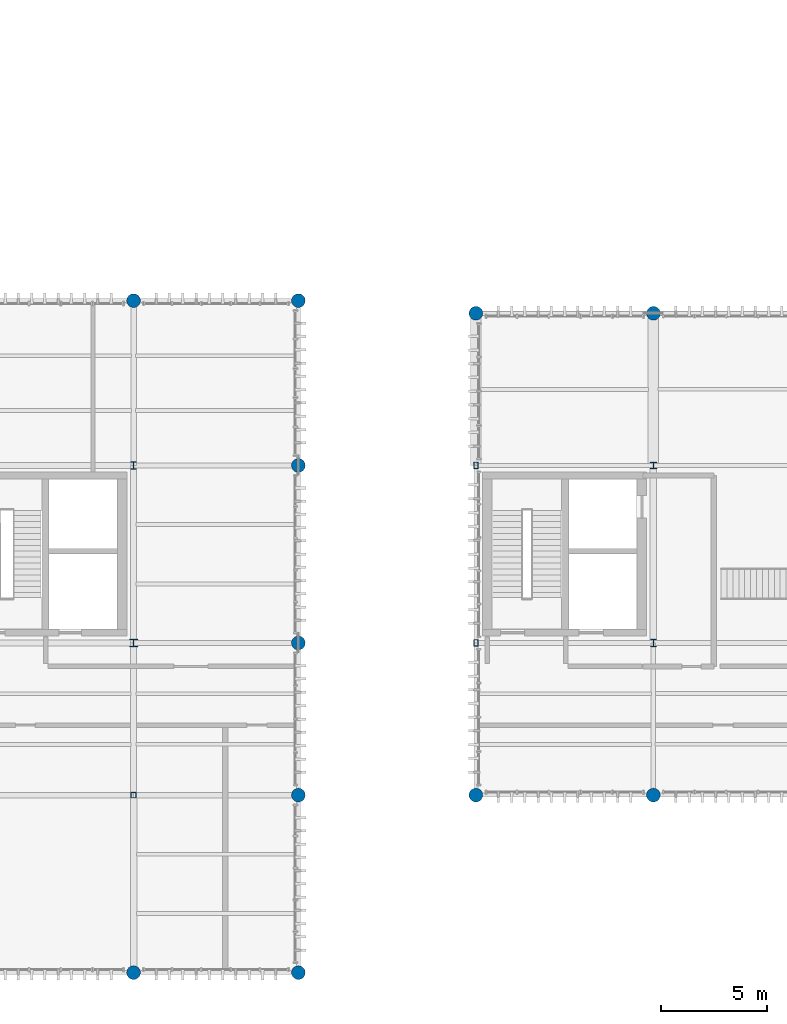
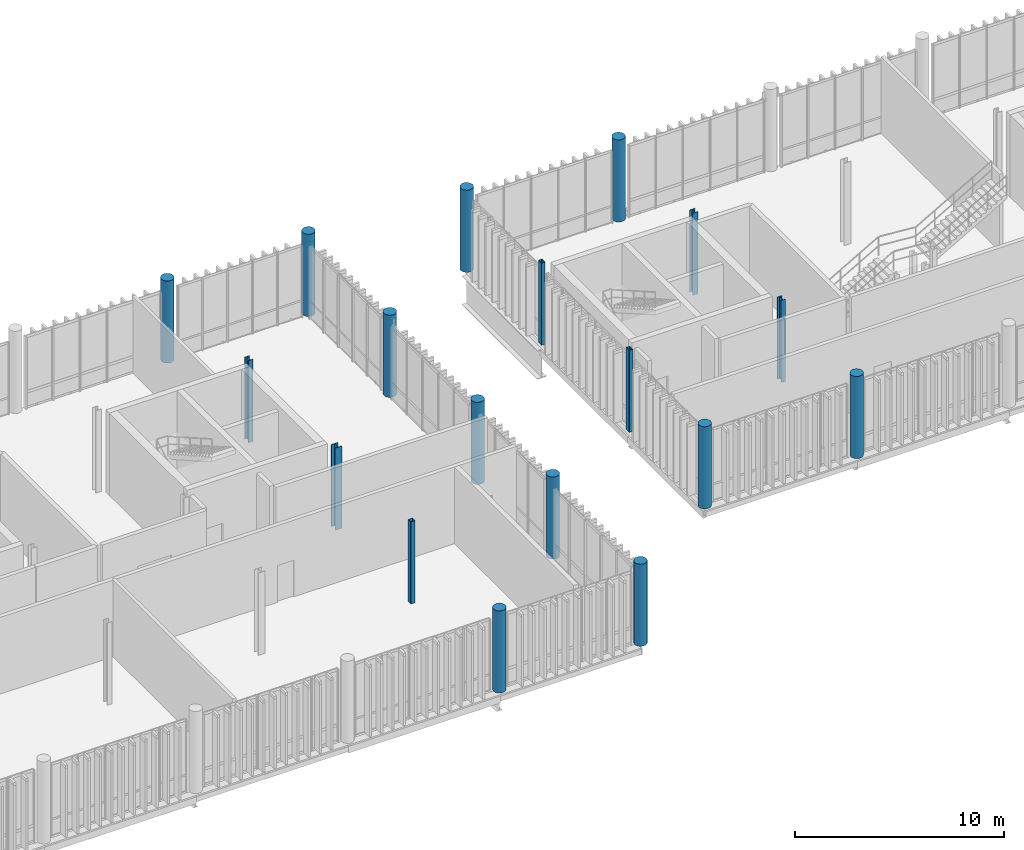
# One storey, part 2 of 86: 18 columns.
"""IFC4 building model written with IfcOpenShell, lengths in metres."""

import ifcopenshell
import ifcopenshell.guid

model = None  # the IFC model being written
_history = None  # IfcOwnerHistory: only IFC2X3 demands one
_inside = {}  # id of a spatial element -> (the spatial element, [elements in it])
_under = {}  # id of a project, library or spatial element -> (it, [spatial elements below it])
_declared = {}  # id of a project -> (the project, [libraries it declares])
_typed = {}  # id of a type object -> (the type object, [elements of that type])
_made_of = {}  # id of a material, layer set ... -> (it, [elements and type objects made of it])


def new_model(schema):
    """Start an empty IFC model of exactly this schema.

    Asked for "IFC4X3", IfcOpenShell would pick the latest addendum, in which some entities
    have other attributes; the version numbers below select the first issue.
    IFC2X3 requires an IfcOwnerHistory on every rooted entity: one is made here for all.
    """
    global model, _history
    if schema == "IFC4X3":
        model = ifcopenshell.file(schema_version=(4, 3, 0, 0))
    else:
        model = ifcopenshell.file(schema=schema)
    _inside.clear()
    _under.clear()
    _declared.clear()
    _typed.clear()
    _made_of.clear()
    _history = None
    if model.schema == "IFC2X3":
        org = make("IfcOrganization", Name="unknown")
        user = make(
            "IfcPersonAndOrganization",
            ThePerson=make("IfcPerson", FamilyName="unknown"),
            TheOrganization=org,
        )
        app = make(
            "IfcApplication",
            ApplicationDeveloper=org,
            Version="unknown",
            ApplicationFullName="unknown",
            ApplicationIdentifier="unknown",
        )
        _history = make(
            "IfcOwnerHistory",
            OwningUser=user,
            OwningApplication=app,
            ChangeAction="ADDED",
            CreationDate=0,
        )
    return model


def make(cls, **values):
    """One entity of the class cls with the attributes given. An attribute that is None is left unset."""
    return model.create_entity(
        cls, **{name: value for name, value in values.items() if value is not None}
    )


def rooted(cls, **values):
    """An entity with a GlobalId (a new one), such as an element, a storey or a relation."""
    return make(cls, GlobalId=ifcopenshell.guid.new(), OwnerHistory=_history, **values)


def si_unit(unit_type, name, prefix=None):
    """IfcSIUnit, for example si_unit("LENGTHUNIT", "METRE", prefix="MILLI")."""
    return make("IfcSIUnit", UnitType=unit_type, Prefix=prefix, Name=name)


def assignment(units):
    """IfcUnitAssignment: the units of a project."""
    return None if units is None else make("IfcUnitAssignment", Units=units)


def point(xyz):
    """IfcCartesianPoint."""
    return None if xyz is None else make("IfcCartesianPoint", Coordinates=xyz)


def direction(xyz):
    """IfcDirection."""
    return None if xyz is None else make("IfcDirection", DirectionRatios=xyz)


def frame(location, z_axis=None, x_axis=None):
    """IfcAxis2Placement3D, a coordinate frame: its origin and axes. An axis left out is left unset."""
    return make(
        "IfcAxis2Placement3D",
        Location=point(location),
        Axis=direction(z_axis),
        RefDirection=direction(x_axis),
    )


def frame_2d(location, x_axis=None):
    """IfcAxis2Placement2D, a coordinate frame in the plane: its origin and x axis."""
    return make(
        "IfcAxis2Placement2D", Location=point(location), RefDirection=direction(x_axis)
    )


def origin_with_axes():
    """The frame at (0, 0, 0) with the z axis (0, 0, 1) and the x axis (1, 0, 0) written out."""
    return frame((0.0, 0.0, 0.0), z_axis=(0.0, 0.0, 1.0), x_axis=(1.0, 0.0, 0.0))


def origin_2d_with_axis():
    """The frame at (0, 0) in the plane with the x axis (1, 0) written out."""
    return frame_2d((0.0, 0.0), x_axis=(1.0, 0.0))


def place(relative_to, where):
    """IfcLocalPlacement: puts the frame where relative to a parent placement (None: the world)."""
    return make(
        "IfcLocalPlacement", PlacementRelTo=relative_to, RelativePlacement=where
    )


def context(
    kind, dimensions, precision=None, world=None, true_north=None, identifier=None
):
    """IfcGeometricRepresentationContext, for example the 3D "Model" context."""
    return make(
        "IfcGeometricRepresentationContext",
        ContextIdentifier=identifier,
        ContextType=kind,
        CoordinateSpaceDimension=dimensions,
        Precision=precision,
        WorldCoordinateSystem=world,
        TrueNorth=true_north,
    )


def subcontext(parent, identifier, kind, view, scale=None):
    """IfcGeometricRepresentationSubContext, for example "Body" below "Model"."""
    return make(
        "IfcGeometricRepresentationSubContext",
        ContextIdentifier=identifier,
        ContextType=kind,
        ParentContext=parent,
        TargetScale=scale,
        TargetView=view,
    )


def project(units=None, contexts=None):
    """IfcProject with its units and contexts."""
    return rooted(
        "IfcProject",
        Name="project",
        RepresentationContexts=contexts,
        UnitsInContext=assignment(units),
    )


def spatial(cls, under=None, at=None, **own):
    """A site, building, storey or space (cls), placed at a placement, below another one or the project."""
    s = rooted(cls, ObjectPlacement=at, **own)
    if under is not None:
        _under.setdefault(under.id(), (under, []))[1].append(s)
    return s


def profile(cls, at=None, kind="AREA", **sizes):
    """A parametric profile (cls). Its sizes go by their IFC names, for example OverallWidth=200.0."""
    return make(cls, ProfileType=kind, Position=at, **sizes)


def hollow_rectangle(**sizes):
    """IfcRectangleHollowProfileDef."""
    return profile("IfcRectangleHollowProfileDef", **sizes)


def circle(**sizes):
    """IfcCircleProfileDef."""
    return profile("IfcCircleProfileDef", **sizes)


def i_section(**sizes):
    """IfcIShapeProfileDef."""
    return profile("IfcIShapeProfileDef", **sizes)


def extrude(swept, where, along, depth):
    """IfcExtrudedAreaSolid: the profile swept, set in the frame where, extruded along a direction by depth."""
    return make(
        "IfcExtrudedAreaSolid",
        SweptArea=swept,
        Position=where,
        ExtrudedDirection=direction(along),
        Depth=depth,
    )


def shape(context_of_items, identifier, shape_type, items):
    """IfcShapeRepresentation: the items that make up one representation, for example the "Body"."""
    return make(
        "IfcShapeRepresentation",
        ContextOfItems=context_of_items,
        RepresentationIdentifier=identifier,
        RepresentationType=shape_type,
        Items=items,
    )


def material(Name=None, Category=None):
    """IfcMaterial."""
    return make("IfcMaterial", Name=Name, Category=Category)


def material_profile(
    of_material, cross_section, Name=None, Category=None, Priority=None
):
    """IfcMaterialProfile: a cross section and its material."""
    return make(
        "IfcMaterialProfile",
        Name=Name,
        Material=of_material,
        Profile=cross_section,
        Priority=Priority,
        Category=Category,
    )


def profile_set(profiles, Name=None, composite=None):
    """IfcMaterialProfileSet."""
    return make(
        "IfcMaterialProfileSet",
        Name=Name,
        MaterialProfiles=profiles,
        CompositeProfile=composite,
    )


def made_of(thing, what):
    """Note that an element or type object is made of a material, layer set ...; save() writes the relation."""
    if what is not None:
        _made_of.setdefault(what.id(), (what, []))[1].append(thing)
    return thing


def type_object(cls, material=None, **own):
    """A type object (cls), such as IfcWallType, which elements share."""
    return made_of(rooted(cls, **own), material)


def element(
    cls,
    number,
    at=None,
    inside=None,
    cuts=None,
    type_object=None,
    material=None,
    context=None,
    identifier="Body",
    shape_type=None,
    held_by="IfcProductDefinitionShape",
    body=None,
    shapes=None,
    **own,
):
    """One element of the class cls, such as IfcWall. Its Tag is "e" and its number.

    at: its placement. inside: the storey or other place that contains it. cuts: it is an
    opening in that element (IfcRelVoidsElement). A single representation is given by context,
    identifier, shape_type and body (its items); several are given by shapes. held_by: the class
    of the entity that holds the representations. save() writes the other relations.
    """
    e = rooted(cls, Tag="e%d" % number, ObjectPlacement=at, **own)
    if body is not None:
        shapes = [shape(context, identifier, shape_type, body)]
    if shapes is not None:
        e.Representation = make(held_by, Representations=shapes)
    if inside is not None:
        _inside.setdefault(inside.id(), (inside, []))[1].append(e)
    if cuts is not None:
        rooted(
            "IfcRelVoidsElement", RelatingBuildingElement=cuts, RelatedOpeningElement=e
        )
    if type_object is not None:
        _typed.setdefault(type_object.id(), (type_object, []))[1].append(e)
    return made_of(e, material)


def aggregate(whole, parts):
    """IfcRelAggregates: a whole, such as a stair, and the parts it consists of."""
    return rooted("IfcRelAggregates", RelatingObject=whole, RelatedObjects=parts)


def save(model, path):
    """Write the relations noted so far, then the file.

    IfcRelAggregates (storeys below a building ...), IfcRelContainedInSpatialStructure (elements
    in a storey), IfcRelDefinesByType, IfcRelAssociatesMaterial and IfcRelDeclares: one each for
    every whole, place, type object, material and project.
    """
    for whole, parts in _under.values():
        aggregate(whole, parts)
    for where, things in _inside.values():
        rooted(
            "IfcRelContainedInSpatialStructure",
            RelatedElements=things,
            RelatingStructure=where,
        )
    for kind, things in _typed.values():
        rooted("IfcRelDefinesByType", RelatedObjects=things, RelatingType=kind)
    for what, things in _made_of.values():
        rooted("IfcRelAssociatesMaterial", RelatedObjects=things, RelatingMaterial=what)
    for by, libraries in _declared.values():
        rooted("IfcRelDeclares", RelatingContext=by, RelatedDefinitions=libraries)
    model.write(path)


model = new_model("IFC4")

# Units and contexts
model_context = context("Model", 3, precision=1e-05, world=origin_with_axes(), true_north=direction((0.0, 1.0)))
body_context = subcontext(model_context, "Body", "Model", "MODEL_VIEW")
ifc_project = project(units=[si_unit("LENGTHUNIT", "METRE"), si_unit("AREAUNIT", "SQUARE_METRE"), si_unit("VOLUMEUNIT", "CUBIC_METRE"), si_unit("PLANEANGLEUNIT", "RADIAN"), si_unit("MASSUNIT", "GRAM", prefix="KILO"), si_unit("THERMODYNAMICTEMPERATUREUNIT", "KELVIN")], contexts=[model_context])

# Site, building, storey
site_placement = place(None, origin_with_axes())
site = spatial("IfcSite", under=ifc_project, at=site_placement, CompositionType="ELEMENT")
building_placement = place(site_placement, origin_with_axes())
building = spatial("IfcBuilding", under=site, at=building_placement, Name="Montbau Bow Law Courts", CompositionType="ELEMENT")
storey_placement = place(building_placement, frame((0.0, 0.0, 29.7), z_axis=(0.0, 0.0, 1.0), x_axis=(1.0, 0.0, 0.0)))
storey = spatial("IfcBuildingStorey", under=building, at=storey_placement, Name="L06", CompositionType="ELEMENT", Elevation=29.7)

# Columns
ifc_material_1 = material(Name="Steel CSA G40.21 Grade 350W (350 MPa)", Category="steel")
ifc_material_profile_1 = material_profile(ifc_material_1, hollow_rectangle(XDim=0.254, YDim=0.254, WallThickness=0.0127, InnerFilletRadius=0.0254, OuterFilletRadius=0.0127, at=origin_2d_with_axis()), Name="HSS254X254X13", Category="Main", Priority=0)
ifc_profile_set_1 = profile_set([ifc_material_profile_1], Name="Steel CSA G40.21 Grade 350W (350 MPa)")
column_type_1 = type_object("IfcColumnType", Name="C-HSS-01", PredefinedType="COLUMN", material=ifc_profile_set_1)
column_1_placement = place(None, frame((39.0, 39.0, 29.7), z_axis=(0.0, 0.0, 1.0), x_axis=(1.0, 0.0, 0.0)))
element("IfcColumn", 1, at=column_1_placement, inside=storey, type_object=column_type_1, Name="C-L06-S0935:col2_0935", PredefinedType="COLUMN", context=body_context, shape_type="SweptSolid", body=[
    extrude(hollow_rectangle(XDim=0.254, YDim=0.254, WallThickness=0.0127, InnerFilletRadius=0.0254, OuterFilletRadius=0.0127, at=origin_2d_with_axis()), origin_with_axes(), (0.0, 0.0, 1.0), 4.8),
])
ifc_material_2 = material(Name="Steel CSA G40.21 Grade 350WT (350 MPa)", Category="steel")
ifc_material_profile_2 = material_profile(ifc_material_2, hollow_rectangle(XDim=0.203, YDim=0.305, WallThickness=0.0127, InnerFilletRadius=0.0254, OuterFilletRadius=0.0127, at=origin_2d_with_axis()), Name="HSS305X203X13", Category="Main", Priority=0)
ifc_profile_set_2 = profile_set([ifc_material_profile_2], Name="Steel CSA G40.21 Grade 350WT (350 MPa)")
column_type_2 = type_object("IfcColumnType", Name="C-HSS-03", PredefinedType="COLUMN", material=ifc_profile_set_2)
for number, where, z_axis, x_axis, name in (
    (2, (55.2, 46.2, 29.7), (0.0, 0.0, 1.0), (1.0, 0.0, 0.0), "C-L06-S0945:col2_0945"),
    (3, (55.2, 54.6, 29.7), (0.0, 0.0, 1.0), (1.0, 0.0, 0.0), "C-L06-S0946:col2_0946"),
):
    element("IfcColumn", number, at=place(None, frame(where, z_axis=z_axis, x_axis=x_axis)), inside=storey, type_object=column_type_2, Name=name, PredefinedType="COLUMN", context=body_context, shape_type="SweptSolid", body=[
        extrude(hollow_rectangle(XDim=0.203, YDim=0.305, WallThickness=0.0127, InnerFilletRadius=0.0254, OuterFilletRadius=0.0127, at=origin_2d_with_axis()), origin_with_axes(), (0.0, 0.0, 1.0), 4.8),
    ])
ifc_material_3 = material(Name="Concrete CSA A23.1 f'c 40 MPa", Category="concrete")
ifc_material_profile_3 = material_profile(ifc_material_3, circle(Radius=0.325, at=origin_2d_with_axis()), Name="RC650D", Category="Main", Priority=0)
ifc_profile_set_3 = profile_set([ifc_material_profile_3], Name="Concrete CSA A23.1 f'c 40 MPa")
column_type_3 = type_object("IfcColumnType", Name="C-RC-08", PredefinedType="COLUMN", material=ifc_profile_set_3)
for number, where, z_axis, x_axis, name in (
    (4, (39.0, 30.6, 29.7), (0.0, 0.0, 1.0), (1.0, 0.0, 0.0), "C-L06-S0934:col2_0934"),
    (5, (39.0, 62.4, 29.7), (0.0, 0.0, 1.0), (1.0, 0.0, 0.0), "C-L06-S0938:col2_0938"),
    (6, (46.8, 30.6, 29.7), (0.0, 0.0, 1.0), (1.0, 0.0, 0.0), "C-L06-S0939:col2_0939"),
    (7, (46.8, 39.0, 29.7), (0.0, 0.0, 1.0), (1.0, 0.0, 0.0), "C-L06-S0940:col2_0940"),
    (8, (46.8, 46.2, 29.7), (0.0, 0.0, 1.0), (1.0, 0.0, 0.0), "C-L06-S0941:col2_0941"),
    (9, (46.8, 54.6, 29.7), (0.0, 0.0, 1.0), (1.0, 0.0, 0.0), "C-L06-S0942:col2_0942"),
    (10, (46.8, 62.4, 29.7), (0.0, 0.0, 1.0), (1.0, 0.0, 0.0), "C-L06-S0943:col2_0943"),
    (11, (55.2, 39.0, 29.7), (0.0, 0.0, 1.0), (1.0, 0.0, 0.0), "C-L06-S0944:col2_0944"),
    (12, (55.2, 61.8, 29.7), (0.0, 0.0, 1.0), (1.0, 0.0, 0.0), "C-L06-S0947:col2_0947"),
    (13, (63.6, 39.0, 29.7), (0.0, 0.0, 1.0), (1.0, 0.0, 0.0), "C-L06-S0948:col2_0948"),
    (14, (63.6, 61.8, 29.7), (0.0, 0.0, 1.0), (1.0, 0.0, 0.0), "C-L06-S0951:col2_0951"),
):
    element("IfcColumn", number, at=place(None, frame(where, z_axis=z_axis, x_axis=x_axis)), inside=storey, type_object=column_type_3, Name=name, PredefinedType="COLUMN", context=body_context, shape_type="SweptSolid", body=[
        extrude(circle(Radius=0.325, at=origin_2d_with_axis()), origin_with_axes(), (0.0, 0.0, 1.0), 4.8),
    ])
ifc_material_profile_4 = material_profile(ifc_material_1, i_section(OverallWidth=0.373, OverallDepth=0.368, WebThickness=0.015, FlangeThickness=0.0239, at=origin_2d_with_axis()), Name="W360X179", Category="Main", Priority=0)
ifc_profile_set_4 = profile_set([ifc_material_profile_4], Name="Steel CSA G40.21 Grade 350W (350 MPa)")
column_type_4 = type_object("IfcColumnType", Name="C-STL-04", PredefinedType="COLUMN", material=ifc_profile_set_4)
column_2_placement = place(None, frame((39.0, 46.2, 29.7), z_axis=(0.0, 0.0, 1.0), x_axis=(1.0, 0.0, 0.0)))
element("IfcColumn", 15, at=column_2_placement, inside=storey, type_object=column_type_4, Name="C-L06-S0936:col2_0936", PredefinedType="COLUMN", context=body_context, shape_type="SweptSolid", body=[
    extrude(i_section(OverallWidth=0.373, OverallDepth=0.368, WebThickness=0.015, FlangeThickness=0.0239, at=origin_2d_with_axis()), origin_with_axes(), (0.0, 0.0, 1.0), 4.8),
])
ifc_material_profile_5 = material_profile(ifc_material_1, i_section(OverallWidth=0.257, OverallDepth=0.363, WebThickness=0.013, FlangeThickness=0.0217, at=origin_2d_with_axis()), Name="W360X122", Category="Main", Priority=0)
ifc_profile_set_5 = profile_set([ifc_material_profile_5], Name="Steel CSA G40.21 Grade 350W (350 MPa)")
column_type_5 = type_object("IfcColumnType", Name="C-STL-05", PredefinedType="COLUMN", material=ifc_profile_set_5)
for number, where, z_axis, x_axis, name in (
    (16, (39.0, 54.6, 29.7), (0.0, 0.0, 1.0), (1.0, 0.0, 0.0), "C-L06-S0937:col2_0937"),
    (17, (63.6, 46.2, 29.7), (0.0, 0.0, 1.0), (1.0, 0.0, 0.0), "C-L06-S0949:col2_0949"),
):
    element("IfcColumn", number, at=place(None, frame(where, z_axis=z_axis, x_axis=x_axis)), inside=storey, type_object=column_type_5, Name=name, PredefinedType="COLUMN", context=body_context, shape_type="SweptSolid", body=[
        extrude(i_section(OverallWidth=0.257, OverallDepth=0.363, WebThickness=0.013, FlangeThickness=0.0217, at=origin_2d_with_axis()), origin_with_axes(), (0.0, 0.0, 1.0), 4.8),
    ])
ifc_material_profile_6 = material_profile(ifc_material_1, i_section(OverallWidth=0.309, OverallDepth=0.323, WebThickness=0.014, FlangeThickness=0.0229, at=origin_2d_with_axis()), Name="W310X143", Category="Main", Priority=0)
ifc_profile_set_6 = profile_set([ifc_material_profile_6], Name="Steel CSA G40.21 Grade 350W (350 MPa)")
column_type_6 = type_object("IfcColumnType", Name="C-STL-06", PredefinedType="COLUMN", material=ifc_profile_set_6)
column_3_placement = place(None, frame((63.6, 54.6, 29.7), z_axis=(0.0, 0.0, 1.0), x_axis=(1.0, 0.0, 0.0)))
element("IfcColumn", 18, at=column_3_placement, inside=storey, type_object=column_type_6, Name="C-L06-S0950:col2_0950", PredefinedType="COLUMN", context=body_context, shape_type="SweptSolid", body=[
    extrude(i_section(OverallWidth=0.309, OverallDepth=0.323, WebThickness=0.014, FlangeThickness=0.0229, at=origin_2d_with_axis()), origin_with_axes(), (0.0, 0.0, 1.0), 4.8),
])

save(model, "model.ifc")
